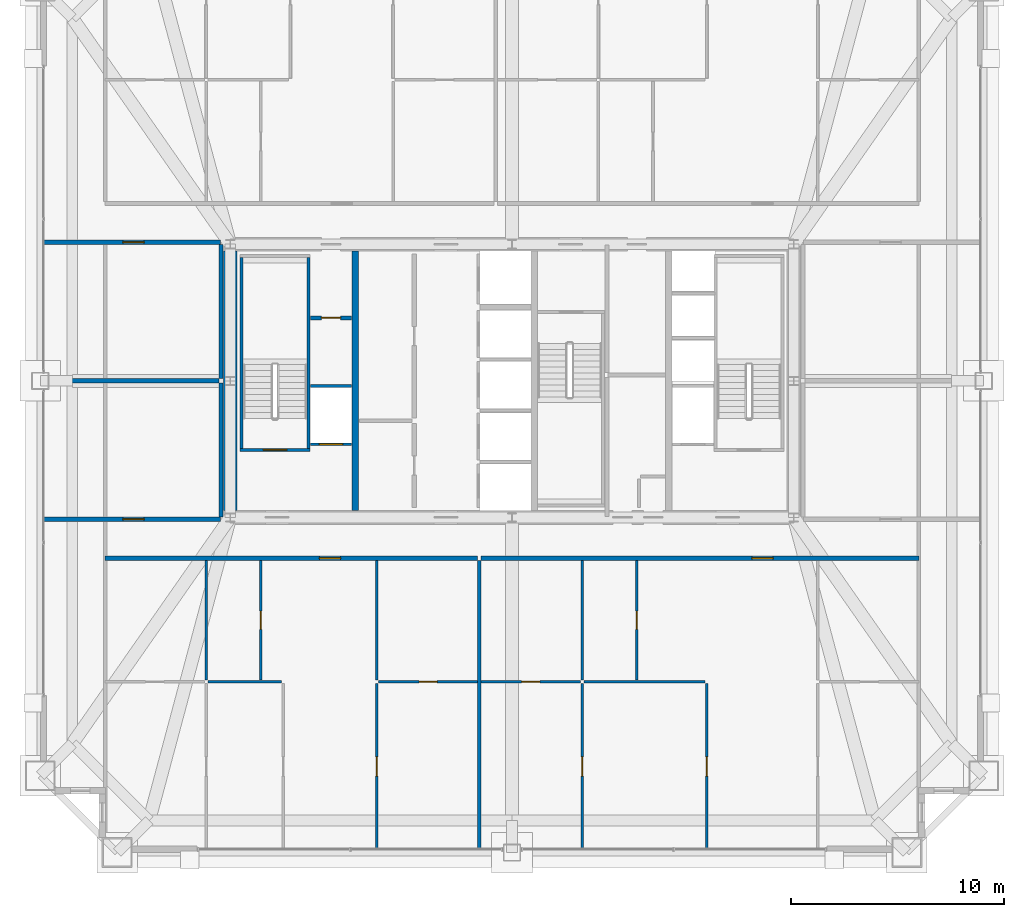
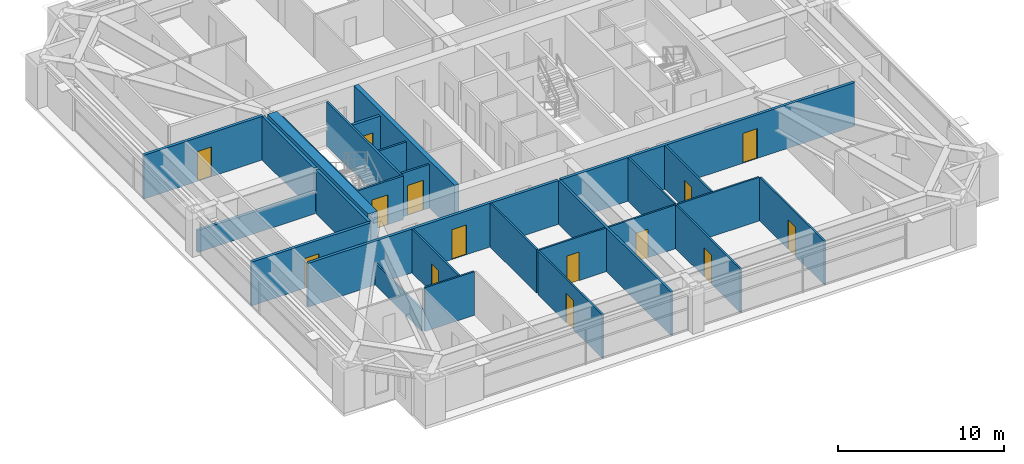
# One storey, part 34 of 39: 28 walls, 14 doors, 14 openings.
"""IFC4 building model written with IfcOpenShell, lengths in metres."""

import ifcopenshell
import ifcopenshell.guid

model = None  # the IFC model being written
_history = None  # IfcOwnerHistory: only IFC2X3 demands one
_inside = {}  # id of a spatial element -> (the spatial element, [elements in it])
_under = {}  # id of a project, library or spatial element -> (it, [spatial elements below it])
_declared = {}  # id of a project -> (the project, [libraries it declares])
_typed = {}  # id of a type object -> (the type object, [elements of that type])
_made_of = {}  # id of a material, layer set ... -> (it, [elements and type objects made of it])


def new_model(schema):
    """Start an empty IFC model of exactly this schema.

    Asked for "IFC4X3", IfcOpenShell would pick the latest addendum, in which some entities
    have other attributes; the version numbers below select the first issue.
    IFC2X3 requires an IfcOwnerHistory on every rooted entity: one is made here for all.
    """
    global model, _history
    if schema == "IFC4X3":
        model = ifcopenshell.file(schema_version=(4, 3, 0, 0))
    else:
        model = ifcopenshell.file(schema=schema)
    _inside.clear()
    _under.clear()
    _declared.clear()
    _typed.clear()
    _made_of.clear()
    _history = None
    if model.schema == "IFC2X3":
        org = make("IfcOrganization", Name="unknown")
        user = make(
            "IfcPersonAndOrganization",
            ThePerson=make("IfcPerson", FamilyName="unknown"),
            TheOrganization=org,
        )
        app = make(
            "IfcApplication",
            ApplicationDeveloper=org,
            Version="unknown",
            ApplicationFullName="unknown",
            ApplicationIdentifier="unknown",
        )
        _history = make(
            "IfcOwnerHistory",
            OwningUser=user,
            OwningApplication=app,
            ChangeAction="ADDED",
            CreationDate=0,
        )
    return model


def make(cls, **values):
    """One entity of the class cls with the attributes given. An attribute that is None is left unset."""
    return model.create_entity(
        cls, **{name: value for name, value in values.items() if value is not None}
    )


def rooted(cls, **values):
    """An entity with a GlobalId (a new one), such as an element, a storey or a relation."""
    return make(cls, GlobalId=ifcopenshell.guid.new(), OwnerHistory=_history, **values)


def si_unit(unit_type, name, prefix=None):
    """IfcSIUnit, for example si_unit("LENGTHUNIT", "METRE", prefix="MILLI")."""
    return make("IfcSIUnit", UnitType=unit_type, Prefix=prefix, Name=name)


def assignment(units):
    """IfcUnitAssignment: the units of a project."""
    return None if units is None else make("IfcUnitAssignment", Units=units)


def point(xyz):
    """IfcCartesianPoint."""
    return None if xyz is None else make("IfcCartesianPoint", Coordinates=xyz)


def direction(xyz):
    """IfcDirection."""
    return None if xyz is None else make("IfcDirection", DirectionRatios=xyz)


def frame(location, z_axis=None, x_axis=None):
    """IfcAxis2Placement3D, a coordinate frame: its origin and axes. An axis left out is left unset."""
    return make(
        "IfcAxis2Placement3D",
        Location=point(location),
        Axis=direction(z_axis),
        RefDirection=direction(x_axis),
    )


def frame_2d(location, x_axis=None):
    """IfcAxis2Placement2D, a coordinate frame in the plane: its origin and x axis."""
    return make(
        "IfcAxis2Placement2D", Location=point(location), RefDirection=direction(x_axis)
    )


def origin():
    """The frame at (0, 0, 0) with its axes left unset."""
    return frame((0.0, 0.0, 0.0))


def place(relative_to, where):
    """IfcLocalPlacement: puts the frame where relative to a parent placement (None: the world)."""
    return make(
        "IfcLocalPlacement", PlacementRelTo=relative_to, RelativePlacement=where
    )


def context(
    kind, dimensions, precision=None, world=None, true_north=None, identifier=None
):
    """IfcGeometricRepresentationContext, for example the 3D "Model" context."""
    return make(
        "IfcGeometricRepresentationContext",
        ContextIdentifier=identifier,
        ContextType=kind,
        CoordinateSpaceDimension=dimensions,
        Precision=precision,
        WorldCoordinateSystem=world,
        TrueNorth=true_north,
    )


def subcontext(parent, identifier, kind, view, scale=None):
    """IfcGeometricRepresentationSubContext, for example "Body" below "Model"."""
    return make(
        "IfcGeometricRepresentationSubContext",
        ContextIdentifier=identifier,
        ContextType=kind,
        ParentContext=parent,
        TargetScale=scale,
        TargetView=view,
    )


def project(units=None, contexts=None):
    """IfcProject with its units and contexts."""
    return rooted(
        "IfcProject",
        Name="project",
        RepresentationContexts=contexts,
        UnitsInContext=assignment(units),
    )


def spatial(cls, under=None, at=None, **own):
    """A site, building, storey or space (cls), placed at a placement, below another one or the project."""
    s = rooted(cls, ObjectPlacement=at, **own)
    if under is not None:
        _under.setdefault(under.id(), (under, []))[1].append(s)
    return s


def profile(cls, at=None, kind="AREA", **sizes):
    """A parametric profile (cls). Its sizes go by their IFC names, for example OverallWidth=200.0."""
    return make(cls, ProfileType=kind, Position=at, **sizes)


def rectangle(**sizes):
    """IfcRectangleProfileDef."""
    return profile("IfcRectangleProfileDef", **sizes)


def extrude(swept, where, along, depth):
    """IfcExtrudedAreaSolid: the profile swept, set in the frame where, extruded along a direction by depth."""
    return make(
        "IfcExtrudedAreaSolid",
        SweptArea=swept,
        Position=where,
        ExtrudedDirection=direction(along),
        Depth=depth,
    )


def shape(context_of_items, identifier, shape_type, items):
    """IfcShapeRepresentation: the items that make up one representation, for example the "Body"."""
    return make(
        "IfcShapeRepresentation",
        ContextOfItems=context_of_items,
        RepresentationIdentifier=identifier,
        RepresentationType=shape_type,
        Items=items,
    )


def source(mapping_origin, context_of_items, identifier, shape_type, items):
    """IfcRepresentationMap: a shape defined once, which mapped items show again and again."""
    return make(
        "IfcRepresentationMap",
        MappingOrigin=mapping_origin,
        MappedRepresentation=shape(context_of_items, identifier, shape_type, items),
    )


def transform(
    local_origin,
    x_axis=None,
    y_axis=None,
    z_axis=None,
    scale=None,
    scale2=None,
    scale3=None,
    uniform=True,
):
    """IfcCartesianTransformationOperator3D, or its non-uniform kind. x_axis, y_axis, z_axis: its Axis1, 2, 3."""
    if uniform:
        return make(
            "IfcCartesianTransformationOperator3D",
            Axis1=direction(x_axis),
            Axis2=direction(y_axis),
            LocalOrigin=point(local_origin),
            Scale=scale,
            Axis3=direction(z_axis),
        )
    return make(
        "IfcCartesianTransformationOperator3DnonUniform",
        Axis1=direction(x_axis),
        Axis2=direction(y_axis),
        LocalOrigin=point(local_origin),
        Scale=scale,
        Axis3=direction(z_axis),
        Scale2=scale2,
        Scale3=scale3,
    )


def mapped(mapping_source, mapping_target):
    """IfcMappedItem: shows the shape of a source again, moved by a transform."""
    return make(
        "IfcMappedItem", MappingSource=mapping_source, MappingTarget=mapping_target
    )


def material(Name=None, Category=None):
    """IfcMaterial."""
    return make("IfcMaterial", Name=Name, Category=Category)


def layer(
    of_material, thickness, ventilated=None, Name=None, Category=None, Priority=None
):
    """IfcMaterialLayer: one layer of a wall or slab, of a material (None: an air gap)."""
    return make(
        "IfcMaterialLayer",
        Material=of_material,
        LayerThickness=thickness,
        IsVentilated=ventilated,
        Name=Name,
        Category=Category,
        Priority=Priority,
    )


def layer_set(layers, Name=None):
    """IfcMaterialLayerSet."""
    return make("IfcMaterialLayerSet", MaterialLayers=layers, LayerSetName=Name)


def made_of(thing, what):
    """Note that an element or type object is made of a material, layer set ...; save() writes the relation."""
    if what is not None:
        _made_of.setdefault(what.id(), (what, []))[1].append(thing)
    return thing


def type_object(cls, material=None, **own):
    """A type object (cls), such as IfcWallType, which elements share."""
    return made_of(rooted(cls, **own), material)


def element(
    cls,
    number,
    at=None,
    inside=None,
    cuts=None,
    type_object=None,
    material=None,
    context=None,
    identifier="Body",
    shape_type=None,
    held_by="IfcProductDefinitionShape",
    body=None,
    shapes=None,
    **own,
):
    """One element of the class cls, such as IfcWall. Its Tag is "e" and its number.

    at: its placement. inside: the storey or other place that contains it. cuts: it is an
    opening in that element (IfcRelVoidsElement). A single representation is given by context,
    identifier, shape_type and body (its items); several are given by shapes. held_by: the class
    of the entity that holds the representations. save() writes the other relations.
    """
    e = rooted(cls, Tag="e%d" % number, ObjectPlacement=at, **own)
    if body is not None:
        shapes = [shape(context, identifier, shape_type, body)]
    if shapes is not None:
        e.Representation = make(held_by, Representations=shapes)
    if inside is not None:
        _inside.setdefault(inside.id(), (inside, []))[1].append(e)
    if cuts is not None:
        rooted(
            "IfcRelVoidsElement", RelatingBuildingElement=cuts, RelatedOpeningElement=e
        )
    if type_object is not None:
        _typed.setdefault(type_object.id(), (type_object, []))[1].append(e)
    return made_of(e, material)


def fill(opening, filler):
    """IfcRelFillsElement: the door or window that sits in an opening."""
    return rooted(
        "IfcRelFillsElement",
        RelatingOpeningElement=opening,
        RelatedBuildingElement=filler,
    )


def aggregate(whole, parts):
    """IfcRelAggregates: a whole, such as a stair, and the parts it consists of."""
    return rooted("IfcRelAggregates", RelatingObject=whole, RelatedObjects=parts)


def save(model, path):
    """Write the relations noted so far, then the file.

    IfcRelAggregates (storeys below a building ...), IfcRelContainedInSpatialStructure (elements
    in a storey), IfcRelDefinesByType, IfcRelAssociatesMaterial and IfcRelDeclares: one each for
    every whole, place, type object, material and project.
    """
    for whole, parts in _under.values():
        aggregate(whole, parts)
    for where, things in _inside.values():
        rooted(
            "IfcRelContainedInSpatialStructure",
            RelatedElements=things,
            RelatingStructure=where,
        )
    for kind, things in _typed.values():
        rooted("IfcRelDefinesByType", RelatedObjects=things, RelatingType=kind)
    for what, things in _made_of.values():
        rooted("IfcRelAssociatesMaterial", RelatedObjects=things, RelatingMaterial=what)
    for by, libraries in _declared.values():
        rooted("IfcRelDeclares", RelatingContext=by, RelatedDefinitions=libraries)
    model.write(path)


model = new_model("IFC4")

# Units and contexts
model_context = context("Model", 3, precision=1e-05, world=origin(), true_north=direction((0.0, 1.0)))
body_context = subcontext(model_context, "Body", "Model", "MODEL_VIEW")
ifc_project = project(units=[si_unit("LENGTHUNIT", "METRE"), si_unit("AREAUNIT", "SQUARE_METRE"), si_unit("VOLUMEUNIT", "CUBIC_METRE"), si_unit("PLANEANGLEUNIT", "RADIAN"), si_unit("MASSUNIT", "GRAM", prefix="KILO"), si_unit("THERMODYNAMICTEMPERATUREUNIT", "KELVIN"), si_unit("POWERUNIT", "WATT")], contexts=[model_context])

# Site, building, storey
site_placement = place(None, origin())
site = spatial("IfcSite", under=ifc_project, at=site_placement, CompositionType="ELEMENT")
building_placement = place(site_placement, origin())
building = spatial("IfcBuilding", under=site, at=building_placement, Name="Yuzanri Waterfront Tower", CompositionType="ELEMENT")
storey_placement = place(building_placement, frame((0.0, 0.0, 216.0)))
storey = spatial("IfcBuildingStorey", under=building, at=storey_placement, Name="L57", CompositionType="ELEMENT", Elevation=216.0)

# Wall, opening, door
ifc_material_1 = material(Name="Moisture-Resistant Gypsum Stud Wall", Category="gypsum")
ifc_layer_1 = layer(ifc_material_1, 0.1201171875)
ifc_layer_set_1 = layer_set([ifc_layer_1], Name="Moisture-Resistant Gypsum Stud Wall")
wall_type_1 = type_object("IfcWallType", Name="Bathroom and Kitchen Wet Partition 120", PredefinedType="PARTITIONING", material=ifc_layer_set_1)
wall_1_placement = place(storey_placement, frame((25.22705078125, 11.780029296875, 0.0), z_axis=(0.0, 0.0, 1.0), x_axis=(0.0, 1.0, 0.0)))
wall_1 = element("IfcWall", 1, at=wall_1_placement, inside=storey, type_object=wall_type_1, Name="L57 Partition UW-L57-RS1-SUB-2-E", PredefinedType="PARTITIONING", context=body_context, shape_type="SweptSolid", body=[
    extrude(rectangle(XDim=5.60986328125, YDim=0.1201171875, at=frame_2d((2.804931640625, 0.0))), origin(), (0.0, 0.0, 1.0), 3.219970703125),
])
opening_1_placement = place(wall_1_placement, frame((2.3798828125, 0.0, 0.0)))
opening_1 = element("IfcOpeningElement", 2, at=opening_1_placement, cuts=wall_1, Name="Opening ID-0850", PredefinedType="OPENING", context=body_context, shape_type="SweptSolid", body=[
    extrude(rectangle(XDim=0.85009765625, YDim=2.10009765625, at=frame_2d((0.425048828125, 1.050048828125))), frame((0.0, 0.074951171875, 0.0), z_axis=(0.0, -1.0, 0.0), x_axis=(1.0, 0.0, 0.0)), (0.0, 0.0, 1.0), 0.14990234375),
])
ifc_material_2 = material(Name="Moisture-Resistant Lacquered Timber", Category="wood")
door_type_1 = type_object("IfcDoorType", Name="En-Suite Bathroom and Kitchen Swing Door 850x2100", OperationType="NOTDEFINED", PredefinedType="DOOR", material=ifc_material_2)
shared_shape_1 = source(origin(), body_context, "Body", "SweptSolid", [
    extrude(rectangle(XDim=0.85009765625, YDim=2.10009765625, at=frame_2d((0.425048828125, 1.050048828125))), frame((0.0, 0.02490234375, 0.0), z_axis=(0.0, -1.0, 0.0), x_axis=(1.0, 0.0, 0.0)), (0.0, 0.0, 1.0), 0.050048828125),
])
door_1_placement = place(opening_1_placement, origin())
door_1 = element("IfcDoor", 3, at=door_1_placement, inside=storey, type_object=door_type_1, Name="L57 Suite Interior Room Door", OperationType="SINGLE_SWING_LEFT", OverallHeight=2.10009765625, OverallWidth=0.85009765625, PredefinedType="DOOR", context=body_context, shape_type="MappedRepresentation", body=[
    mapped(shared_shape_1, transform((0.0, 0.0, 0.0), scale=1.0)),
])
fill(opening_1, door_1)

wall_2_placement = place(storey_placement, frame((30.748046875, 11.699951171875, 0.0), z_axis=(0.0, 0.0, 1.0), x_axis=(1.0, 0.0, 0.0)))
wall_2 = element("IfcWall", 4, at=wall_2_placement, inside=storey, type_object=wall_type_1, Name="L57 Partition UW-L57-RS1-SUB-3-S", PredefinedType="PARTITIONING", context=body_context, shape_type="SweptSolid", body=[
    extrude(rectangle(XDim=4.64697265625, YDim=0.1201171875, at=frame_2d((2.323486328125, 0.0))), origin(), (0.0, 0.0, 1.0), 3.219970703125),
])
opening_2_placement = place(wall_2_placement, frame((1.8984375, 0.0, 0.0)))
opening_2 = element("IfcOpeningElement", 5, at=opening_2_placement, cuts=wall_2, Name="Opening ID-0850", PredefinedType="OPENING", context=body_context, shape_type="SweptSolid", body=[
    extrude(rectangle(XDim=0.85009765625, YDim=2.10009765625, at=frame_2d((0.425048828125, 1.050048828125))), frame((0.0, 0.074951171875, 0.0), z_axis=(0.0, -1.0, 0.0), x_axis=(1.0, 0.0, 0.0)), (0.0, 0.0, 1.0), 0.14990234375),
])
door_2_placement = place(opening_2_placement, origin())
door_2 = element("IfcDoor", 6, at=door_2_placement, inside=storey, type_object=door_type_1, Name="L57 Suite Interior Room Door", OperationType="SINGLE_SWING_RIGHT", OverallHeight=2.10009765625, OverallWidth=0.85009765625, PredefinedType="DOOR", context=body_context, shape_type="MappedRepresentation", body=[
    mapped(shared_shape_1, transform((0.0, 0.0, 0.0), scale=1.0)),
])
fill(opening_2, door_2)

wall_3_placement = place(storey_placement, frame((30.66796875, 3.85009765625, 0.0), z_axis=(0.0, 0.0, 1.0), x_axis=(0.0, 1.0, 0.0)))
wall_3 = element("IfcWall", 7, at=wall_3_placement, inside=storey, type_object=wall_type_1, Name="L57 Partition UW-L57-RS1-SUB-5-W", PredefinedType="PARTITIONING", context=body_context, shape_type="SweptSolid", body=[
    extrude(rectangle(XDim=7.77001953125, YDim=0.1201171875, at=frame_2d((3.885009765625, 0.0))), origin(), (0.0, 0.0, 1.0), 3.219970703125),
])
opening_3_placement = place(wall_3_placement, frame((3.43505859375, 0.0, 0.0)))
opening_3 = element("IfcOpeningElement", 8, at=opening_3_placement, cuts=wall_3, Name="Opening ID-0900", PredefinedType="OPENING", context=body_context, shape_type="SweptSolid", body=[
    extrude(rectangle(XDim=0.89990234375, YDim=2.14990234375, at=frame_2d((0.449951171875, 1.074951171875))), frame((0.0, 0.074951171875, 0.0), z_axis=(0.0, -1.0, 0.0), x_axis=(1.0, 0.0, 0.0)), (0.0, 0.0, 1.0), 0.14990234375),
])
ifc_material_3 = material(Name="Stained Walnut Veneer Timber", Category="wood")
door_type_2 = type_object("IfcDoorType", Name="Bedroom and Study Interior Swing Door 900x2150", OperationType="NOTDEFINED", PredefinedType="DOOR", material=ifc_material_3)
shared_shape_2 = source(origin(), body_context, "Body", "SweptSolid", [
    extrude(rectangle(XDim=0.89990234375, YDim=2.14990234375, at=frame_2d((0.449951171875, 1.074951171875))), frame((0.0, 0.02490234375, 0.0), z_axis=(0.0, -1.0, 0.0), x_axis=(1.0, 0.0, 0.0)), (0.0, 0.0, 1.0), 0.050048828125),
])
door_3_placement = place(opening_3_placement, origin())
door_3 = element("IfcDoor", 9, at=door_3_placement, inside=storey, type_object=door_type_2, Name="L57 Suite Interior Room Door", OperationType="SINGLE_SWING_RIGHT", OverallHeight=2.14990234375, OverallWidth=0.89990234375, PredefinedType="DOOR", context=body_context, shape_type="MappedRepresentation", body=[
    mapped(shared_shape_2, transform((0.0, 0.0, 0.0), scale=1.0)),
])
fill(opening_3, door_3)

wall_4_placement = place(storey_placement, frame((35.554931640625, 11.699951171875, 0.0), z_axis=(0.0, 0.0, 1.0), x_axis=(1.0, 0.0, 0.0)))
wall_4 = element("IfcWall", 10, at=wall_4_placement, inside=storey, type_object=wall_type_1, Name="L57 Partition UW-L57-RS2-SUB-1-S", PredefinedType="PARTITIONING", context=body_context, shape_type="SweptSolid", body=[
    extrude(rectangle(XDim=4.64697265625, YDim=0.1201171875, at=frame_2d((2.323486328125, 0.0))), origin(), (0.0, 0.0, 1.0), 3.219970703125),
])
opening_4_placement = place(wall_4_placement, frame((1.8984375, 0.0, 0.0)))
opening_4 = element("IfcOpeningElement", 11, at=opening_4_placement, cuts=wall_4, Name="Opening ID-0850", PredefinedType="OPENING", context=body_context, shape_type="SweptSolid", body=[
    extrude(rectangle(XDim=0.85009765625, YDim=2.10009765625, at=frame_2d((0.425048828125, 1.050048828125))), frame((0.0, 0.074951171875, 0.0), z_axis=(0.0, -1.0, 0.0), x_axis=(1.0, 0.0, 0.0)), (0.0, 0.0, 1.0), 0.14990234375),
])
door_4_placement = place(opening_4_placement, origin())
door_4 = element("IfcDoor", 12, at=door_4_placement, inside=storey, type_object=door_type_1, Name="L57 Suite Interior Room Door", OperationType="SINGLE_SWING_LEFT", OverallHeight=2.10009765625, OverallWidth=0.85009765625, PredefinedType="DOOR", context=body_context, shape_type="MappedRepresentation", body=[
    mapped(shared_shape_1, transform((0.0, 0.0, 0.0), scale=1.0)),
])
fill(opening_4, door_4)

wall_5_placement = place(storey_placement, frame((42.842041015625, 11.780029296875, 0.0), z_axis=(0.0, 0.0, 1.0), x_axis=(0.0, 1.0, 0.0)))
wall_5 = element("IfcWall", 13, at=wall_5_placement, inside=storey, type_object=wall_type_1, Name="L57 Partition UW-L57-RS2-SUB-2-E", PredefinedType="PARTITIONING", context=body_context, shape_type="SweptSolid", body=[
    extrude(rectangle(XDim=5.60986328125, YDim=0.1201171875, at=frame_2d((2.804931640625, 0.0))), origin(), (0.0, 0.0, 1.0), 3.219970703125),
])
opening_5_placement = place(wall_5_placement, frame((2.3798828125, 0.0, 0.0)))
opening_5 = element("IfcOpeningElement", 14, at=opening_5_placement, cuts=wall_5, Name="Opening ID-0850", PredefinedType="OPENING", context=body_context, shape_type="SweptSolid", body=[
    extrude(rectangle(XDim=0.85009765625, YDim=2.10009765625, at=frame_2d((0.425048828125, 1.050048828125))), frame((0.0, 0.074951171875, 0.0), z_axis=(0.0, -1.0, 0.0), x_axis=(1.0, 0.0, 0.0)), (0.0, 0.0, 1.0), 0.14990234375),
])
door_5_placement = place(opening_5_placement, origin())
door_5 = element("IfcDoor", 15, at=door_5_placement, inside=storey, type_object=door_type_1, Name="L57 Suite Interior Room Door", OperationType="SINGLE_SWING_RIGHT", OverallHeight=2.10009765625, OverallWidth=0.85009765625, PredefinedType="DOOR", context=body_context, shape_type="MappedRepresentation", body=[
    mapped(shared_shape_1, transform((0.0, 0.0, 0.0), scale=1.0)),
])
fill(opening_5, door_5)

wall_6_placement = place(storey_placement, frame((40.281982421875, 3.85009765625, 0.0), z_axis=(0.0, 0.0, 1.0), x_axis=(0.0, 1.0, 0.0)))
wall_6 = element("IfcWall", 16, at=wall_6_placement, inside=storey, type_object=wall_type_1, Name="L57 Partition UW-L57-RS2-SUB-4-E", PredefinedType="PARTITIONING", context=body_context, shape_type="SweptSolid", body=[
    extrude(rectangle(XDim=7.77001953125, YDim=0.1201171875, at=frame_2d((3.885009765625, 0.0))), origin(), (0.0, 0.0, 1.0), 3.219970703125),
])
opening_6_placement = place(wall_6_placement, frame((3.43505859375, 0.0, 0.0)))
opening_6 = element("IfcOpeningElement", 17, at=opening_6_placement, cuts=wall_6, Name="Opening ID-0900", PredefinedType="OPENING", context=body_context, shape_type="SweptSolid", body=[
    extrude(rectangle(XDim=0.89990234375, YDim=2.14990234375, at=frame_2d((0.449951171875, 1.074951171875))), frame((0.0, 0.074951171875, 0.0), z_axis=(0.0, -1.0, 0.0), x_axis=(1.0, 0.0, 0.0)), (0.0, 0.0, 1.0), 0.14990234375),
])
door_6_placement = place(opening_6_placement, origin())
door_6 = element("IfcDoor", 18, at=door_6_placement, inside=storey, type_object=door_type_2, Name="L57 Suite Interior Room Door", OperationType="SINGLE_SWING_RIGHT", OverallHeight=2.14990234375, OverallWidth=0.89990234375, PredefinedType="DOOR", context=body_context, shape_type="MappedRepresentation", body=[
    mapped(shared_shape_2, transform((0.0, 0.0, 0.0), scale=1.0)),
])
fill(opening_6, door_6)

wall_7_placement = place(storey_placement, frame((46.133056640625, 3.85009765625, 0.0), z_axis=(0.0, 0.0, 1.0), x_axis=(0.0, 1.0, 0.0)))
wall_7 = element("IfcWall", 19, at=wall_7_placement, inside=storey, type_object=wall_type_1, Name="L57 Partition UW-L57-RS2-SUB-6-E", PredefinedType="PARTITIONING", context=body_context, shape_type="SweptSolid", body=[
    extrude(rectangle(XDim=7.77001953125, YDim=0.1201171875, at=frame_2d((3.885009765625, 0.0))), origin(), (0.0, 0.0, 1.0), 3.219970703125),
])
opening_7_placement = place(wall_7_placement, frame((3.43505859375, 0.0, 0.0)))
opening_7 = element("IfcOpeningElement", 20, at=opening_7_placement, cuts=wall_7, Name="Opening ID-0900", PredefinedType="OPENING", context=body_context, shape_type="SweptSolid", body=[
    extrude(rectangle(XDim=0.89990234375, YDim=2.14990234375, at=frame_2d((0.449951171875, 1.074951171875))), frame((0.0, 0.074951171875, 0.0), z_axis=(0.0, -1.0, 0.0), x_axis=(1.0, 0.0, 0.0)), (0.0, 0.0, 1.0), 0.14990234375),
])
door_7_placement = place(opening_7_placement, origin())
door_7 = element("IfcDoor", 21, at=door_7_placement, inside=storey, type_object=door_type_2, Name="L57 Suite Interior Room Door", OperationType="SINGLE_SWING_RIGHT", OverallHeight=2.14990234375, OverallWidth=0.89990234375, PredefinedType="DOOR", context=body_context, shape_type="MappedRepresentation", body=[
    mapped(shared_shape_2, transform((0.0, 0.0, 0.0), scale=1.0)),
])
fill(opening_7, door_7)

ifc_material_4 = material(Name="Concrete C40", Category="concrete")
ifc_layer_2 = layer(ifc_material_4, 0.139892578125)
ifc_layer_set_2 = layer_set([ifc_layer_2], Name="Concrete C40")
wall_type_2 = type_object("IfcWallType", Name="Core Stair Liner and Hoistway Shaft Wall 140", PredefinedType="SOLIDWALL", material=ifc_layer_set_2)
wall_8_placement = place(storey_placement, frame((27.56005859375, 22.830078125, 0.0), z_axis=(0.0, 0.0, 1.0), x_axis=(1.0, 0.0, 0.0)))
wall_8 = element("IfcWall", 22, at=wall_8_placement, inside=storey, type_object=wall_type_2, Name="L57 Lift FL-01 Front Shaft Wall", PredefinedType="SOLIDWALL", context=body_context, shape_type="SweptSolid", body=[
    extrude(rectangle(XDim=1.919921875, YDim=0.139892578125, at=frame_2d((0.9599609375, 0.0))), origin(), (0.0, 0.0, 1.0), 3.219970703125),
])
opening_8_placement = place(wall_8_placement, frame((0.409912109375, 0.0, 0.0)))
opening_8 = element("IfcOpeningElement", 23, at=opening_8_placement, cuts=wall_8, Name="Opening LD-FL-01", PredefinedType="OPENING", context=body_context, shape_type="SweptSolid", body=[
    extrude(rectangle(XDim=1.10009765625, YDim=2.199951171875, at=frame_2d((0.550048828125, 1.10009765625))), frame((0.0, 0.0849609375, 0.0), z_axis=(0.0, -1.0, 0.0), x_axis=(1.0, 0.0, 0.0)), (0.0, 0.0, 1.0), 0.169677734375),
])
ifc_material_5 = material(Name="Brushed Bronze and Stainless Steel Cab", Category="steel")
door_type_3 = type_object("IfcDoorType", Name="Center-Parting Bronze Lift Landing Sliding Door 1100x2200", OperationType="NOTDEFINED", PredefinedType="DOOR", material=ifc_material_5)
shared_shape_3 = source(origin(), body_context, "Body", "SweptSolid", [
    extrude(rectangle(XDim=1.10009765625, YDim=2.199951171875, at=frame_2d((0.550048828125, 1.10009765625))), frame((0.0, 0.02490234375, 0.0), z_axis=(0.0, -1.0, 0.0), x_axis=(1.0, 0.0, 0.0)), (0.0, 0.0, 1.0), 0.050048828125),
])
door_8_placement = place(opening_8_placement, origin())
door_8 = element("IfcDoor", 24, at=door_8_placement, inside=storey, type_object=door_type_3, Name="L57 FL-01 Lift Landing Sliding Door", OperationType="SLIDING_TO_LEFT", OverallHeight=2.199951171875, OverallWidth=1.10009765625, PredefinedType="DOOR", context=body_context, shape_type="MappedRepresentation", body=[
    mapped(shared_shape_3, transform((0.0, 0.0, 0.0), scale=1.0)),
])
fill(opening_8, door_8)

wall_9_placement = place(storey_placement, frame((24.260009765625, 22.570068359375, 0.0), z_axis=(0.0, 0.0, 1.0), x_axis=(1.0, 0.0, 0.0)))
wall_9 = element("IfcWall", 25, at=wall_9_placement, inside=storey, type_object=wall_type_2, Name="L57 Shaft Wall STW-L57-ST-01-S", PredefinedType="SOLIDWALL", context=body_context, shape_type="SweptSolid", body=[
    extrude(rectangle(XDim=3.280029296875, YDim=0.139892578125, at=frame_2d((1.64013671875, 0.0))), origin(), (0.0, 0.0, 1.0), 3.219970703125),
])
opening_9_placement = place(wall_9_placement, frame((1.090087890625, 0.0, 0.0)))
opening_9 = element("IfcOpeningElement", 26, at=opening_9_placement, cuts=wall_9, Name="Opening FD-1100", PredefinedType="OPENING", context=body_context, shape_type="SweptSolid", body=[
    extrude(rectangle(XDim=1.10009765625, YDim=2.199951171875, at=frame_2d((0.550048828125, 1.10009765625))), frame((0.0, 0.0849609375, 0.0), z_axis=(0.0, -1.0, 0.0), x_axis=(1.0, 0.0, 0.0)), (0.0, 0.0, 1.0), 0.169677734375),
])
ifc_material_6 = material(Name="Painted Galvanized Fire Steel", Category="steel")
door_type_4 = type_object("IfcDoorType", Name="Smoke-Proof Stair and Lobby Fire Door 1100x2200", OperationType="NOTDEFINED", PredefinedType="DOOR", material=ifc_material_6)
shared_shape_4 = source(origin(), body_context, "Body", "SweptSolid", [
    extrude(rectangle(XDim=1.10009765625, YDim=2.199951171875, at=frame_2d((0.550048828125, 1.10009765625))), frame((0.0, 0.02490234375, 0.0), z_axis=(0.0, -1.0, 0.0), x_axis=(1.0, 0.0, 0.0)), (0.0, 0.0, 1.0), 0.050048828125),
])
door_9_placement = place(opening_9_placement, origin())
door_9 = element("IfcDoor", 27, at=door_9_placement, inside=storey, type_object=door_type_4, Name="L57 Stair ST-01 Fire Door", OperationType="SINGLE_SWING_RIGHT", OverallHeight=2.199951171875, OverallWidth=1.10009765625, PredefinedType="DOOR", context=body_context, shape_type="MappedRepresentation", body=[
    mapped(shared_shape_4, transform((0.0, 0.0, 0.0), scale=1.0)),
])
fill(opening_9, door_9)

ifc_material_7 = material(Name="Autoclaved Aerated Concrete Blockwork", Category="masonry")
ifc_layer_3 = layer(ifc_material_7, 0.199951171875)
ifc_layer_set_3 = layer_set([ifc_layer_3], Name="Autoclaved Aerated Concrete Blockwork")
wall_type_3 = type_object("IfcWallType", Name="Corridor and Unit Party Fire Wall 200", PredefinedType="PARTITIONING", material=ifc_layer_set_3)
wall_10_placement = place(storey_placement, frame((27.56005859375, 28.75, 0.0), z_axis=(0.0, 0.0, 1.0), x_axis=(1.0, 0.0, 0.0)))
wall_10 = element("IfcWall", 28, at=wall_10_placement, inside=storey, type_object=wall_type_3, Name="L57 Partition CRW-L57-ERTR", PredefinedType="PARTITIONING", context=body_context, shape_type="SweptSolid", body=[
    extrude(rectangle(XDim=1.919921875, YDim=0.199951171875, at=frame_2d((0.9599609375, 0.0))), origin(), (0.0, 0.0, 1.0), 3.219970703125),
])
opening_10_placement = place(wall_10_placement, frame((0.510009765625, 0.0, 0.0)))
opening_10 = element("IfcOpeningElement", 29, at=opening_10_placement, cuts=wall_10, Name="Opening FD-0900", PredefinedType="OPENING", context=body_context, shape_type="SweptSolid", body=[
    extrude(rectangle(XDim=0.89990234375, YDim=2.14990234375, at=frame_2d((0.449951171875, 1.074951171875))), frame((0.0, 0.11474609375, 0.0), z_axis=(0.0, -1.0, 0.0), x_axis=(1.0, 0.0, 0.0)), (0.0, 0.0, 1.0), 0.229736328125),
])
ifc_material_8 = material(Name="Painted Galvanized Fire Steel", Category="steel")
door_type_5 = type_object("IfcDoorType", Name="Riser and Service Room Fire Door 900x2150", OperationType="NOTDEFINED", PredefinedType="DOOR", material=ifc_material_8)
shared_shape_5 = source(origin(), body_context, "Body", "SweptSolid", [
    extrude(rectangle(XDim=0.89990234375, YDim=2.14990234375, at=frame_2d((0.449951171875, 1.074951171875))), frame((0.0, 0.02490234375, 0.0), z_axis=(0.0, -1.0, 0.0), x_axis=(1.0, 0.0, 0.0)), (0.0, 0.0, 1.0), 0.050048828125),
])
door_10_placement = place(opening_10_placement, origin())
door_10 = element("IfcDoor", 30, at=door_10_placement, inside=storey, type_object=door_type_5, Name="L57 Electrical Riser Door", OperationType="SINGLE_SWING_LEFT", OverallHeight=2.14990234375, OverallWidth=0.89990234375, PredefinedType="DOOR", context=body_context, shape_type="MappedRepresentation", body=[
    mapped(shared_shape_5, transform((0.0, 0.0, 0.0), scale=1.0)),
])
fill(opening_10, door_10)

wall_11_placement = place(storey_placement, frame((17.93994140625, 17.489990234375, 0.0), z_axis=(0.0, 0.0, 1.0), x_axis=(1.0, 0.0, 0.0)))
wall_11 = element("IfcWall", 31, at=wall_11_placement, inside=storey, type_object=wall_type_3, Name="L57 Partition UW-L57-RS1-CN", PredefinedType="PARTITIONING", context=body_context, shape_type="SweptSolid", body=[
    extrude(rectangle(XDim=17.455078125, YDim=0.199951171875, at=frame_2d((8.7275390625, 0.0))), origin(), (0.0, 0.0, 1.0), 3.219970703125),
])
opening_11_placement = place(wall_11_placement, frame((10.032958984375, 0.0, 0.0)))
opening_11 = element("IfcOpeningElement", 32, at=opening_11_placement, cuts=wall_11, Name="Opening FD-1000", PredefinedType="OPENING", context=body_context, shape_type="SweptSolid", body=[
    extrude(rectangle(XDim=1.0, YDim=2.199951171875, at=frame_2d((0.5, 1.10009765625))), frame((0.0, 0.11474609375, 0.0), z_axis=(0.0, -1.0, 0.0), x_axis=(1.0, 0.0, 0.0)), (0.0, 0.0, 1.0), 0.229736328125),
])
ifc_material_9 = material(Name="Engineered Oak Fire-Rated Timber", Category="wood")
door_type_6 = type_object("IfcDoorType", Name="Guestroom and Apartment Entrance Fire Door 1000x2200", OperationType="NOTDEFINED", PredefinedType="DOOR", material=ifc_material_9)
shared_shape_6 = source(origin(), body_context, "Body", "SweptSolid", [
    extrude(rectangle(XDim=1.0, YDim=2.199951171875, at=frame_2d((0.5, 1.10009765625))), frame((0.0, 0.02490234375, 0.0), z_axis=(0.0, -1.0, 0.0), x_axis=(1.0, 0.0, 0.0)), (0.0, 0.0, 1.0), 0.050048828125),
])
door_11_placement = place(opening_11_placement, origin())
door_11 = element("IfcDoor", 33, at=door_11_placement, inside=storey, type_object=door_type_6, Name="L57 Apartment Living and Dining Salon Entrance Door", OperationType="SINGLE_SWING_LEFT", OverallHeight=2.199951171875, OverallWidth=1.0, PredefinedType="DOOR", context=body_context, shape_type="MappedRepresentation", body=[
    mapped(shared_shape_6, transform((0.0, 0.0, 0.0), scale=1.0)),
])
fill(opening_11, door_11)

wall_12_placement = place(storey_placement, frame((35.554931640625, 17.489990234375, 0.0), z_axis=(0.0, 0.0, 1.0), x_axis=(1.0, 0.0, 0.0)))
wall_12 = element("IfcWall", 34, at=wall_12_placement, inside=storey, type_object=wall_type_3, Name="L57 Partition UW-L57-RS2-CN", PredefinedType="PARTITIONING", context=body_context, shape_type="SweptSolid", body=[
    extrude(rectangle(XDim=20.505126953125, YDim=0.199951171875, at=frame_2d((10.25244140625, 0.0))), origin(), (0.0, 0.0, 1.0), 3.219970703125),
])
opening_12_placement = place(wall_12_placement, frame((12.677978515625, 0.0, 0.0)))
opening_12 = element("IfcOpeningElement", 35, at=opening_12_placement, cuts=wall_12, Name="Opening FD-1000", PredefinedType="OPENING", context=body_context, shape_type="SweptSolid", body=[
    extrude(rectangle(XDim=1.0, YDim=2.199951171875, at=frame_2d((0.5, 1.10009765625))), frame((0.0, 0.11474609375, 0.0), z_axis=(0.0, -1.0, 0.0), x_axis=(1.0, 0.0, 0.0)), (0.0, 0.0, 1.0), 0.229736328125),
])
door_12_placement = place(opening_12_placement, origin())
door_12 = element("IfcDoor", 36, at=door_12_placement, inside=storey, type_object=door_type_6, Name="L57 Apartment Living and Dining Salon Entrance Door", OperationType="SINGLE_SWING_RIGHT", OverallHeight=2.199951171875, OverallWidth=1.0, PredefinedType="DOOR", context=body_context, shape_type="MappedRepresentation", body=[
    mapped(shared_shape_6, transform((0.0, 0.0, 0.0), scale=1.0)),
])
fill(opening_12, door_12)

wall_13_placement = place(storey_placement, frame((15.050048828125, 19.31005859375, 0.0), z_axis=(0.0, 0.0, 1.0), x_axis=(1.0, 0.0, 0.0)))
wall_13 = element("IfcWall", 37, at=wall_13_placement, inside=storey, type_object=wall_type_3, Name="L57 Partition UW-L57-045-CS", PredefinedType="PARTITIONING", context=body_context, shape_type="SweptSolid", body=[
    extrude(rectangle(XDim=8.300048828125, YDim=0.199951171875, at=frame_2d((4.14990234375, 0.0))), origin(), (0.0, 0.0, 1.0), 3.219970703125),
])
opening_13_placement = place(wall_13_placement, frame((3.715087890625, 0.0, 0.0)))
opening_13 = element("IfcOpeningElement", 38, at=opening_13_placement, cuts=wall_13, Name="Opening FD-1000", PredefinedType="OPENING", context=body_context, shape_type="SweptSolid", body=[
    extrude(rectangle(XDim=1.0, YDim=2.199951171875, at=frame_2d((0.5, 1.10009765625))), frame((0.0, 0.11474609375, 0.0), z_axis=(0.0, -1.0, 0.0), x_axis=(1.0, 0.0, 0.0)), (0.0, 0.0, 1.0), 0.229736328125),
])
door_13_placement = place(opening_13_placement, origin())
door_13 = element("IfcDoor", 39, at=door_13_placement, inside=storey, type_object=door_type_6, Name="L57 Residents W Fitness Gymnasium Entrance Door", OperationType="SINGLE_SWING_LEFT", OverallHeight=2.199951171875, OverallWidth=1.0, PredefinedType="DOOR", context=body_context, shape_type="MappedRepresentation", body=[
    mapped(shared_shape_6, transform((0.0, 0.0, 0.0), scale=1.0)),
])
fill(opening_13, door_13)

wall_14_placement = place(storey_placement, frame((15.050048828125, 32.2900390625, 0.0), z_axis=(0.0, 0.0, 1.0), x_axis=(1.0, 0.0, 0.0)))
wall_14 = element("IfcWall", 40, at=wall_14_placement, inside=storey, type_object=wall_type_3, Name="L57 Partition UW-L57-046-CN", PredefinedType="PARTITIONING", context=body_context, shape_type="SweptSolid", body=[
    extrude(rectangle(XDim=8.300048828125, YDim=0.199951171875, at=frame_2d((4.14990234375, 0.0))), origin(), (0.0, 0.0, 1.0), 3.219970703125),
])
opening_14_placement = place(wall_14_placement, frame((3.715087890625, 0.0, 0.0)))
opening_14 = element("IfcOpeningElement", 41, at=opening_14_placement, cuts=wall_14, Name="Opening FD-1000", PredefinedType="OPENING", context=body_context, shape_type="SweptSolid", body=[
    extrude(rectangle(XDim=1.0, YDim=2.199951171875, at=frame_2d((0.5, 1.10009765625))), frame((0.0, 0.11474609375, 0.0), z_axis=(0.0, -1.0, 0.0), x_axis=(1.0, 0.0, 0.0)), (0.0, 0.0, 1.0), 0.229736328125),
])
door_14_placement = place(opening_14_placement, origin())
door_14 = element("IfcDoor", 42, at=door_14_placement, inside=storey, type_object=door_type_6, Name="L57 Residents W Yoga Gym Studio Entrance Door", OperationType="SINGLE_SWING_RIGHT", OverallHeight=2.199951171875, OverallWidth=1.0, PredefinedType="DOOR", context=body_context, shape_type="MappedRepresentation", body=[
    mapped(shared_shape_6, transform((0.0, 0.0, 0.0), scale=1.0)),
])
fill(opening_14, door_14)

# Walls
ifc_material_10 = material(Name="Concrete C50", Category="concrete")
ifc_layer_4 = layer(ifc_material_10, 0.64990234375)
ifc_layer_set_4 = layer_set([ifc_layer_4], Name="Concrete C50")
wall_type_4 = type_object("IfcWallType", Name="Concrete C50 Mid Zone Core Shear Wall 650", PredefinedType="SHEAR", material=ifc_layer_set_4)
shared_shape_7 = source(origin(), body_context, "Body", "SweptSolid", [
    extrude(rectangle(XDim=12.14990234375, YDim=0.64990234375, at=frame_2d((6.074951171875, 0.0))), origin(), (0.0, 0.0, 1.0), 3.5),
])
wall_15_placement = place(storey_placement, frame((23.800048828125, 19.72509765625, 0.0), z_axis=(0.0, 0.0, 1.0), x_axis=(0.0, 1.0, 0.0)))
element("IfcWall", 43, at=wall_15_placement, inside=storey, type_object=wall_type_4, Name="L57 Core West Shear Wall", PredefinedType="SHEAR", context=body_context, shape_type="MappedRepresentation", body=[
    mapped(shared_shape_7, transform((0.0, 0.0, 0.0), scale=1.0)),
])
ifc_material_11 = material(Name="Concrete C50", Category="concrete")
ifc_layer_5 = layer(ifc_material_11, 0.300048828125)
ifc_layer_set_5 = layer_set([ifc_layer_5], Name="Concrete C50")
wall_type_5 = type_object("IfcWallType", Name="Concrete C50 Internal Core Shaft Structural Wall 300", PredefinedType="SOLIDWALL", material=ifc_layer_set_5)
shared_shape_8 = source(origin(), body_context, "Body", "SweptSolid", [
    extrude(rectangle(XDim=12.14990234375, YDim=0.300048828125, at=frame_2d((6.074951171875, 0.0))), origin(), (0.0, 0.0, 1.0), 3.5),
])
wall_16_placement = place(storey_placement, frame((29.64990234375, 19.72509765625, 0.0), z_axis=(0.0, 0.0, 1.0), x_axis=(0.0, 1.0, 0.0)))
element("IfcWall", 44, at=wall_16_placement, inside=storey, type_object=wall_type_5, Name="L57 Core Internal Structural Web Wall 1", PredefinedType="SOLIDWALL", context=body_context, shape_type="MappedRepresentation", body=[
    mapped(shared_shape_8, transform((0.0, 0.0, 0.0), scale=1.0)),
])
shared_shape_9 = source(origin(), body_context, "Body", "SweptSolid", [
    extrude(rectangle(XDim=1.919921875, YDim=0.139892578125, at=frame_2d((0.9599609375, 0.0))), origin(), (0.0, 0.0, 1.0), 3.219970703125),
])
wall_17_placement = place(storey_placement, frame((27.56005859375, 25.570068359375, 0.0), z_axis=(0.0, 0.0, 1.0), x_axis=(1.0, 0.0, 0.0)))
element("IfcWall", 45, at=wall_17_placement, inside=storey, type_object=wall_type_2, Name="L57 Lift FL-01 Back Shaft Wall", PredefinedType="SOLIDWALL", context=body_context, shape_type="MappedRepresentation", body=[
    mapped(shared_shape_9, transform((0.0, 0.0, 0.0), scale=1.0)),
])
shared_shape_10 = source(origin(), body_context, "Body", "SweptSolid", [
    extrude(rectangle(XDim=8.940185546875, YDim=0.139892578125, at=frame_2d((4.47021484375, 0.0))), origin(), (0.0, 0.0, 1.0), 3.219970703125),
])
for number, where, z_axis, x_axis, name in (
    (46, (24.330078125, 22.639892578125, 0.0), (0.0, 0.0, 1.0), (0.0, 1.0, 0.0), "L57 Stair ST-01 West Shaft Wall"),
    (47, (27.469970703125, 22.639892578125, 0.0), (0.0, 0.0, 1.0), (0.0, 1.0, 0.0), "L57 Stair ST-01 East Shaft Wall"),
):
    element("IfcWall", number, at=place(storey_placement, frame(where, z_axis=z_axis, x_axis=x_axis)), inside=storey, type_object=wall_type_2, Name=name, PredefinedType="SOLIDWALL", context=body_context, shape_type="MappedRepresentation", body=[
        mapped(shared_shape_10, transform((0.0, 0.0, 0.0), scale=1.0)),
    ])
ifc_material_12 = material(Name="Gypsum Fireboard Acoustic Stud Wall", Category="gypsum")
ifc_layer_6 = layer(ifc_material_12, 0.159912109375)
ifc_layer_set_6 = layer_set([ifc_layer_6], Name="Gypsum Fireboard Acoustic Stud Wall")
wall_type_6 = type_object("IfcWallType", Name="Acoustic Suite Demising Partition 160", PredefinedType="PARTITIONING", material=ifc_layer_set_6)
shared_shape_11 = source(origin(), body_context, "Body", "SweptSolid", [
    extrude(rectangle(XDim=13.539794921875, YDim=0.159912109375, at=frame_2d((6.77001953125, 0.0))), origin(), (0.0, 0.0, 1.0), 3.219970703125),
])
wall_18_placement = place(storey_placement, frame((35.47509765625, 3.85009765625, 0.0), z_axis=(0.0, 0.0, 1.0), x_axis=(0.0, 1.0, 0.0)))
element("IfcWall", 48, at=wall_18_placement, inside=storey, type_object=wall_type_6, Name="L57-RS1 Party Wall", PredefinedType="PARTITIONING", context=body_context, shape_type="MappedRepresentation", body=[
    mapped(shared_shape_11, transform((0.0, 0.0, 0.0), scale=1.0)),
])
shared_shape_12 = source(origin(), body_context, "Body", "SweptSolid", [
    extrude(rectangle(XDim=5.60986328125, YDim=0.1201171875, at=frame_2d((2.804931640625, 0.0))), origin(), (0.0, 0.0, 1.0), 1.614990234375),
])
wall_19_placement = place(storey_placement, frame((22.6669921875, 11.780029296875, 0.0), z_axis=(0.0, 0.0, 1.0), x_axis=(0.0, 1.0, 0.0)))
element("IfcWall", 49, at=wall_19_placement, inside=storey, type_object=wall_type_1, Name="L57 Partition UW-L57-RS1-SUB-1-E", PredefinedType="PARTITIONING", context=body_context, shape_type="MappedRepresentation", body=[
    mapped(shared_shape_12, transform((0.0, 0.0, 0.0), scale=1.0)),
])
shared_shape_13 = source(origin(), body_context, "Body", "SweptSolid", [
    extrude(rectangle(XDim=5.60986328125, YDim=0.1201171875, at=frame_2d((2.804931640625, 0.0))), origin(), (0.0, 0.0, 1.0), 3.219970703125),
])
for number, where, z_axis, x_axis, name in (
    (50, (30.66796875, 11.780029296875, 0.0), (0.0, 0.0, 1.0), (0.0, 1.0, 0.0), "L57 Partition UW-L57-RS1-SUB-3-W"),
    (51, (40.281982421875, 11.780029296875, 0.0), (0.0, 0.0, 1.0), (0.0, 1.0, 0.0), "L57 Partition UW-L57-RS2-SUB-1-E"),
):
    element("IfcWall", number, at=place(storey_placement, frame(where, z_axis=z_axis, x_axis=x_axis)), inside=storey, type_object=wall_type_1, Name=name, PredefinedType="PARTITIONING", context=body_context, shape_type="MappedRepresentation", body=[
        mapped(shared_shape_13, transform((0.0, 0.0, 0.0), scale=1.0)),
    ])
shared_shape_14 = source(origin(), body_context, "Body", "SweptSolid", [
    extrude(rectangle(XDim=3.449951171875, YDim=0.1201171875, at=frame_2d((1.72509765625, 0.0))), origin(), (0.0, 0.0, 1.0), 3.219970703125),
])
wall_20_placement = place(storey_placement, frame((22.7470703125, 11.699951171875, 0.0), z_axis=(0.0, 0.0, 1.0), x_axis=(1.0, 0.0, 0.0)))
element("IfcWall", 52, at=wall_20_placement, inside=storey, type_object=wall_type_1, Name="L57 Partition UW-L57-RS1-SUB-6-N", PredefinedType="PARTITIONING", context=body_context, shape_type="MappedRepresentation", body=[
    mapped(shared_shape_14, transform((0.0, 0.0, 0.0), scale=1.0)),
])
shared_shape_15 = source(origin(), body_context, "Body", "SweptSolid", [
    extrude(rectangle(XDim=5.69091796875, YDim=0.1201171875, at=frame_2d((2.845458984375, 0.0))), origin(), (0.0, 0.0, 1.0), 3.219970703125),
])
wall_21_placement = place(storey_placement, frame((40.362060546875, 11.699951171875, 0.0), z_axis=(0.0, 0.0, 1.0), x_axis=(1.0, 0.0, 0.0)))
element("IfcWall", 53, at=wall_21_placement, inside=storey, type_object=wall_type_1, Name="L57 Partition UW-L57-RS2-SUB-6-N", PredefinedType="PARTITIONING", context=body_context, shape_type="MappedRepresentation", body=[
    mapped(shared_shape_15, transform((0.0, 0.0, 0.0), scale=1.0)),
])
shared_shape_16 = source(origin(), body_context, "Body", "SweptSolid", [
    extrude(rectangle(XDim=8.21484375, YDim=0.199951171875, at=frame_2d((4.107421875, 0.0))), origin(), (0.0, 0.0, 1.0), 1.614990234375),
])
wall_22_placement = place(storey_placement, frame((15.050048828125, 25.800048828125, 0.0), z_axis=(0.0, 0.0, 1.0), x_axis=(1.0, 0.0, 0.0)))
element("IfcWall", 54, at=wall_22_placement, inside=storey, type_object=wall_type_3, Name="L57-045 Wing North Wall", PredefinedType="PARTITIONING", context=body_context, shape_type="MappedRepresentation", body=[
    mapped(shared_shape_16, transform((0.0, 0.0, 0.0), scale=1.0)),
])
shared_shape_17 = source(origin(), body_context, "Body", "SweptSolid", [
    extrude(rectangle(XDim=6.2900390625, YDim=0.199951171875, at=frame_2d((3.14501953125, 0.0))), origin(), (0.0, 0.0, 1.0), 3.219970703125),
])
for number, where, z_axis, x_axis, name in (
    (55, (23.3701171875, 19.409912109375, 0.0), (0.0, 0.0, 1.0), (0.0, 1.0, 0.0), "L57-045 Wing Inner Core-Side Wall"),
    (56, (23.3701171875, 25.89990234375, 0.0), (0.0, 0.0, 1.0), (0.0, 1.0, 0.0), "L57-046 Wing Inner Core-Side Wall"),
):
    element("IfcWall", number, at=place(storey_placement, frame(where, z_axis=z_axis, x_axis=x_axis)), inside=storey, type_object=wall_type_3, Name=name, PredefinedType="PARTITIONING", context=body_context, shape_type="MappedRepresentation", body=[
        mapped(shared_shape_17, transform((0.0, 0.0, 0.0), scale=1.0)),
    ])

save(model, "model.ifc")
